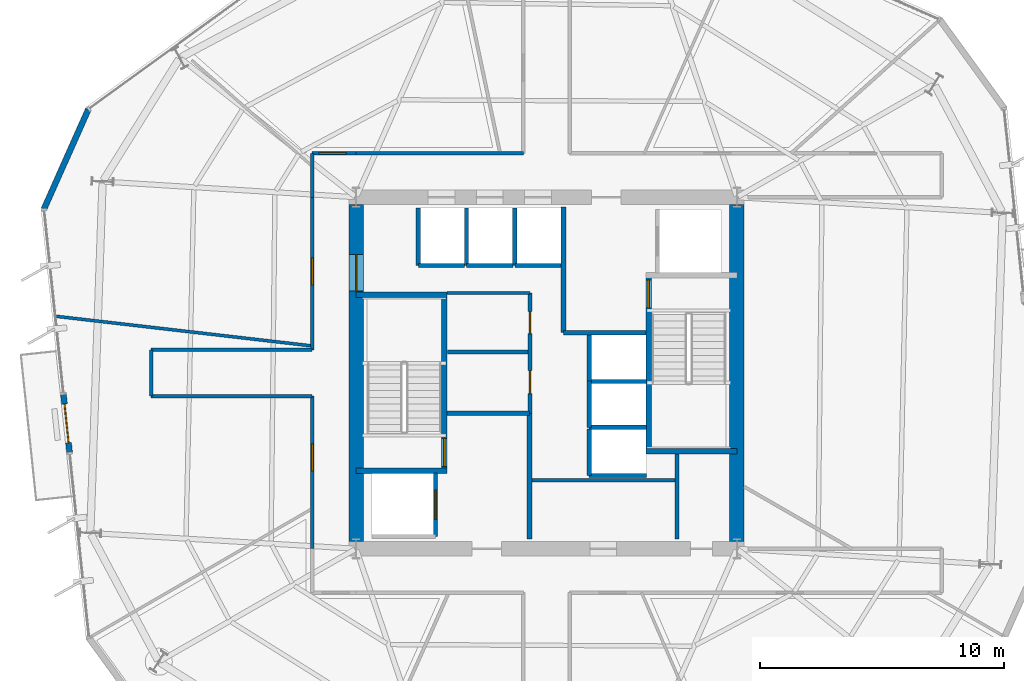
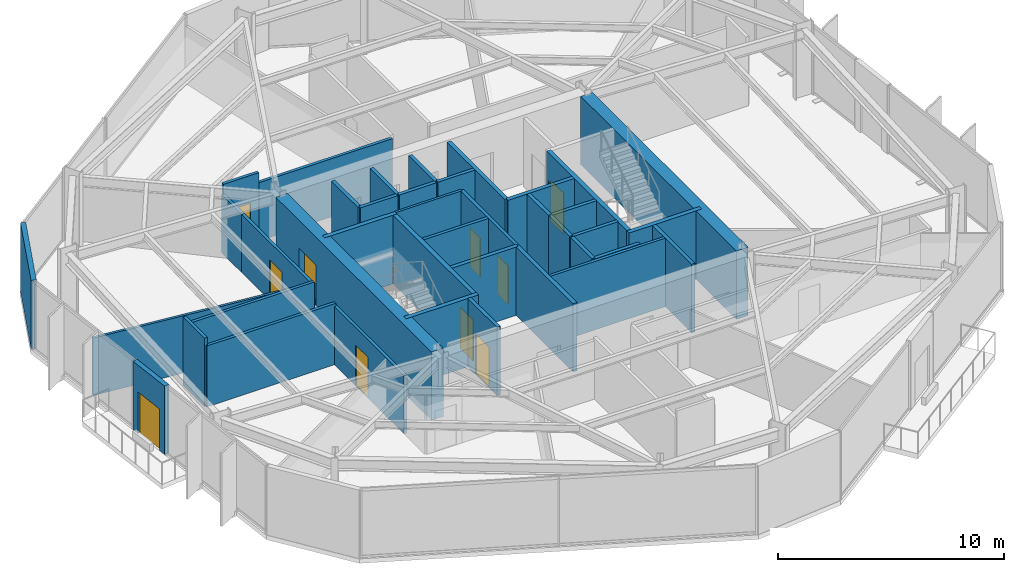
# One storey, part 7 of 12: 40 walls, 10 doors, 10 openings.
"""IFC4 building model written with IfcOpenShell, lengths in metres."""

from ifc_helpers import new_model, si_unit, direction, frame, frame_2d, origin, place, context, subcontext, project, spatial, rectangle, extrude, material, layer, layer_set, type_object, element, fill, save


model = new_model("IFC4")

# Units and contexts
model_context = context("Model", 3, precision=1e-05, world=origin(), true_north=direction((0.0, 1.0)))
body_context = subcontext(model_context, "Body", "Model", "MODEL_VIEW")
ifc_project = project(units=[si_unit("LENGTHUNIT", "METRE"), si_unit("AREAUNIT", "SQUARE_METRE"), si_unit("VOLUMEUNIT", "CUBIC_METRE"), si_unit("PLANEANGLEUNIT", "RADIAN"), si_unit("MASSUNIT", "GRAM", prefix="KILO")], contexts=[model_context])

# Site, building, storey
site_placement = place(None, origin())
site = spatial("IfcSite", under=ifc_project, at=site_placement, CompositionType="ELEMENT")
building_placement = place(site_placement, origin())
building = spatial("IfcBuilding", under=site, at=building_placement, Name="Kranzbogen Civic Tower", CompositionType="ELEMENT")
storey_placement = place(building_placement, frame((0.0, 0.0, 166.39990234375)))
storey = spatial("IfcBuildingStorey", under=building, at=storey_placement, Name="L40", CompositionType="ELEMENT", Elevation=166.39990234375)

# Wall
ifc_material_1 = material(Name="Double-Stud Acoustic Gypsum Partition")
ifc_layer_1 = layer(ifc_material_1, 0.14990234375, Name="Double-Stud Acoustic Gypsum Partition")
ifc_layer_set_1 = layer_set([ifc_layer_1], Name="Double-Stud Acoustic Gypsum Partition")
wall_type_1 = type_object("IfcWallType", Name="Acoustic Corridor and Clinical Partition 150 mm", PredefinedType="PARTITIONING", material=ifc_layer_set_1)
wall_1_placement = place(storey_placement, frame((24.39990234375, 20.610107421875, 0.0), z_axis=(0.0, 0.0, 1.0), x_axis=(1.0, 0.0, 0.0)))
element("IfcWall", 1, at=wall_1_placement, inside=storey, type_object=wall_type_1, Name="L40 records zone North wall", PredefinedType="PARTITIONING", context=body_context, shape_type="SweptSolid", body=[
    extrude(rectangle(XDim=5.900146484375, YDim=0.14990234375, at=frame_2d((2.9501953125, 0.0))), origin(), (0.0, 0.0, 1.0), 3.7001953125),
])

# Wall, opening, door
wall_2_placement = place(storey_placement, frame((15.39990234375, 17.800048828125, 0.0), z_axis=(0.0, 0.0, 1.0), x_axis=(0.0, 1.0, 0.0)))
wall_2 = element("IfcWall", 2, at=wall_2_placement, inside=storey, type_object=wall_type_1, Name="L40 corridor partition 03", PredefinedType="PARTITIONING", context=body_context, shape_type="SweptSolid", body=[
    extrude(rectangle(XDim=6.25, YDim=0.14990234375, at=frame_2d((3.125, 0.0))), origin(), (0.0, 0.0, 1.0), 3.150146484375),
])
opening_1_placement = place(wall_2_placement, frame((3.19091796875, 0.0, 0.0)))
opening_1 = element("IfcOpeningElement", 3, at=opening_1_placement, cuts=wall_2, Name="Opening D-COR60", PredefinedType="OPENING", context=body_context, shape_type="SweptSolid", body=[
    extrude(rectangle(XDim=1.10009765625, YDim=2.199951171875, at=frame_2d((0.550048828125, 1.10009765625))), frame((0.0, 0.0849609375, 0.0), z_axis=(0.0, -1.0, 0.0), x_axis=(1.0, 0.0, 0.0)), (0.0, 0.0, 1.0), 0.169921875),
])
ifc_material_2 = material(Name="Oak Timber and Fire Core", Category="wood")
door_type_1 = type_object("IfcDoorType", Name="Corridor Acoustic Fire Door 1100x2200", OperationType="NOTDEFINED", PredefinedType="DOOR", material=ifc_material_2)
door_1_placement = place(opening_1_placement, origin())
door_1 = element("IfcDoor", 4, at=door_1_placement, inside=storey, type_object=door_type_1, Name="L40 Civic Reference Library door", OperationType="SINGLE_SWING_RIGHT", OverallHeight=2.199951171875, OverallWidth=1.10009765625, PredefinedType="DOOR", context=body_context, shape_type="SweptSolid", body=[
    extrude(rectangle(XDim=1.10009765625, YDim=2.199951171875, at=frame_2d((0.550048828125, 1.10009765625))), frame((0.0, 0.02490234375, 0.0), z_axis=(0.0, -1.0, 0.0), x_axis=(1.0, 0.0, 0.0)), (0.0, 0.0, 1.0), 0.050048828125),
])
fill(opening_1, door_1)

# Walls
wall_3_placement = place(storey_placement, frame((15.39990234375, 24.050048828125, 0.0), z_axis=(0.0, 0.0, 1.0), x_axis=(-1.0, 0.0, 0.0)))
element("IfcWall", 5, at=wall_3_placement, inside=storey, type_object=wall_type_1, Name="L40 corridor partition 04", PredefinedType="PARTITIONING", context=body_context, shape_type="SweptSolid", body=[
    extrude(rectangle(XDim=6.599853515625, YDim=0.14990234375, at=frame_2d((3.2998046875, 0.0))), origin(), (0.0, 0.0, 1.0), 3.300048828125),
])
wall_4_placement = place(storey_placement, frame((8.800048828125, 24.050048828125, 0.0), z_axis=(0.0, 0.0, 1.0), x_axis=(0.0, 1.0, 0.0)))
element("IfcWall", 6, at=wall_4_placement, inside=storey, type_object=wall_type_1, Name="L40 corridor partition 05", PredefinedType="PARTITIONING", context=body_context, shape_type="SweptSolid", body=[
    extrude(rectangle(XDim=1.89990234375, YDim=0.14990234375, at=frame_2d((0.949951171875, 0.0))), origin(), (0.0, 0.0, 1.0), 3.7001953125),
])
wall_5_placement = place(storey_placement, frame((8.800048828125, 25.949951171875, 0.0), z_axis=(0.0, 0.0, 1.0), x_axis=(1.0, 0.0, 0.0)))
element("IfcWall", 7, at=wall_5_placement, inside=storey, type_object=wall_type_1, Name="L40 corridor partition 06", PredefinedType="PARTITIONING", context=body_context, shape_type="SweptSolid", body=[
    extrude(rectangle(XDim=6.599853515625, YDim=0.14990234375, at=frame_2d((3.2998046875, 0.0))), origin(), (0.0, 0.0, 1.0), 3.300048828125),
])

# Wall, opening, door
wall_6_placement = place(storey_placement, frame((15.39990234375, 25.949951171875, 0.0), z_axis=(0.0, 0.0, 1.0), x_axis=(0.0, 1.0, 0.0)))
wall_6 = element("IfcWall", 8, at=wall_6_placement, inside=storey, type_object=wall_type_1, Name="L40 corridor partition 07", PredefinedType="PARTITIONING", context=body_context, shape_type="SweptSolid", body=[
    extrude(rectangle(XDim=6.25, YDim=0.14990234375, at=frame_2d((3.125, 0.0))), origin(), (0.0, 0.0, 1.0), 3.150146484375),
])
opening_2_placement = place(wall_6_placement, frame((2.6640625, 0.0, 0.0)))
opening_2 = element("IfcOpeningElement", 9, at=opening_2_placement, cuts=wall_6, Name="Opening D-COR60", PredefinedType="OPENING", context=body_context, shape_type="SweptSolid", body=[
    extrude(rectangle(XDim=1.10009765625, YDim=2.199951171875, at=frame_2d((0.550048828125, 1.10009765625))), frame((0.0, 0.0849609375, 0.0), z_axis=(0.0, -1.0, 0.0), x_axis=(1.0, 0.0, 0.0)), (0.0, 0.0, 1.0), 0.169921875),
])
door_2_placement = place(opening_2_placement, origin())
door_2 = element("IfcDoor", 10, at=door_2_placement, inside=storey, type_object=door_type_1, Name="L40 Operations Security Control Room door", OperationType="SINGLE_SWING_RIGHT", OverallHeight=2.199951171875, OverallWidth=1.10009765625, PredefinedType="DOOR", context=body_context, shape_type="SweptSolid", body=[
    extrude(rectangle(XDim=1.10009765625, YDim=2.199951171875, at=frame_2d((0.550048828125, 1.10009765625))), frame((0.0, 0.02490234375, 0.0), z_axis=(0.0, -1.0, 0.0), x_axis=(1.0, 0.0, 0.0)), (0.0, 0.0, 1.0), 0.050048828125),
])
fill(opening_2, door_2)

# Wall
wall_7_placement = place(storey_placement, frame((15.39990234375, 32.199951171875, 0.0), z_axis=(0.0, 0.0, 1.0), x_axis=(0.0, 1.0, 0.0)))
element("IfcWall", 11, at=wall_7_placement, inside=storey, type_object=wall_type_1, Name="L40 corridor partition 08", PredefinedType="PARTITIONING", context=body_context, shape_type="SweptSolid", body=[
    extrude(rectangle(XDim=1.800048828125, YDim=0.14990234375, at=frame_2d((0.89990234375, 0.0))), origin(), (0.0, 0.0, 1.0), 3.150146484375),
])

# Wall, opening, door
wall_8_placement = place(storey_placement, frame((15.39990234375, 34.0, 0.0), z_axis=(0.0, 0.0, 1.0), x_axis=(1.0, 0.0, 0.0)))
wall_8 = element("IfcWall", 12, at=wall_8_placement, inside=storey, type_object=wall_type_1, Name="L40 corridor partition 09", PredefinedType="PARTITIONING", context=body_context, shape_type="SweptSolid", body=[
    extrude(rectangle(XDim=1.800048828125, YDim=0.14990234375, at=frame_2d((0.89990234375, 0.0))), origin(), (0.0, 0.0, 1.0), 3.7001953125),
])
opening_3_placement = place(wall_8_placement, frame((0.287109375, 0.0, 0.0)))
opening_3 = element("IfcOpeningElement", 13, at=opening_3_placement, cuts=wall_8, Name="Opening D-COR60", PredefinedType="OPENING", context=body_context, shape_type="SweptSolid", body=[
    extrude(rectangle(XDim=1.10009765625, YDim=2.199951171875, at=frame_2d((0.550048828125, 1.10009765625))), frame((0.0, 0.0849609375, 0.0), z_axis=(0.0, -1.0, 0.0), x_axis=(1.0, 0.0, 0.0)), (0.0, 0.0, 1.0), 0.169921875),
])
door_3_placement = place(opening_3_placement, origin())
door_3 = element("IfcDoor", 14, at=door_3_placement, inside=storey, type_object=door_type_1, Name="L40 Public Delegation Reception door", OperationType="SINGLE_SWING_LEFT", OverallHeight=2.199951171875, OverallWidth=1.10009765625, PredefinedType="DOOR", context=body_context, shape_type="SweptSolid", body=[
    extrude(rectangle(XDim=1.10009765625, YDim=2.199951171875, at=frame_2d((0.550048828125, 1.10009765625))), frame((0.0, 0.02490234375, 0.0), z_axis=(0.0, -1.0, 0.0), x_axis=(1.0, 0.0, 0.0)), (0.0, 0.0, 1.0), 0.050048828125),
])
fill(opening_3, door_3)

# Walls
wall_9_placement = place(storey_placement, frame((17.199951171875, 34.0, 0.0), z_axis=(0.0, 0.0, 1.0), x_axis=(1.0, 0.0, 0.0)))
element("IfcWall", 15, at=wall_9_placement, inside=storey, type_object=wall_type_1, Name="L40 corridor partition 10", PredefinedType="PARTITIONING", context=body_context, shape_type="SweptSolid", body=[
    extrude(rectangle(XDim=6.85009765625, YDim=0.14990234375, at=frame_2d((3.425048828125, 0.0))), origin(), (0.0, 0.0, 1.0), 3.150146484375),
])
ifc_material_3 = material(Name="Insulated Metal-Stud Gypsum Partition")
ifc_layer_2 = layer(ifc_material_3, 0.125, Name="Insulated Metal-Stud Gypsum Partition")
ifc_layer_set_2 = layer_set([ifc_layer_2], Name="Insulated Metal-Stud Gypsum Partition")
wall_type_2 = type_object("IfcWallType", Name="Acoustic Inter-Room Partition 125 mm", PredefinedType="PARTITIONING", material=ifc_layer_set_2)
wall_10_placement = place(storey_placement, frame((20.919921875, 28.280029296875, 0.0), z_axis=(0.0, 0.0, 1.0), x_axis=(1.0, 0.0, 0.0)))
element("IfcWall", 16, at=wall_10_placement, inside=storey, type_object=wall_type_2, Name="L40 core auxiliary North wall", PredefinedType="PARTITIONING", context=body_context, shape_type="SweptSolid", body=[
    extrude(rectangle(XDim=3.405029296875, YDim=0.125, at=frame_2d((1.70263671875, 0.0))), origin(), (0.0, 0.0, 1.0), 3.7001953125),
])
wall_11_placement = place(storey_placement, frame((15.39990234375, 26.10888671875, 0.0), z_axis=(0.0, 0.0, 1.0), x_axis=(-0.993380400017, 0.114871148952, 0.0)))
element("IfcWall", 17, at=wall_11_placement, inside=storey, type_object=wall_type_2, Name="L40 radial room partition 05", PredefinedType="PARTITIONING", context=body_context, shape_type="SweptSolid", body=[
    extrude(rectangle(XDim=10.577880859375, YDim=0.125, at=frame_2d((5.2890625, 0.0))), origin(), (0.0, 0.0, 1.0), 3.10009765625),
])

# Wall, opening, door
ifc_material_4 = material(Name="Concrete C55/67", Category="concrete")
ifc_layer_3 = layer(ifc_material_4, 0.60009765625, Name="Concrete C55/67")
ifc_layer_set_3 = layer_set([ifc_layer_3], Name="Concrete C55/67")
wall_type_3 = type_object("IfcWallType", Name="Central Core Shear Wall 600 mm", PredefinedType="SHEAR", material=ifc_layer_set_3)
wall_12_placement = place(storey_placement, frame((17.199951171875, 31.89990234375, 0.0), z_axis=(0.0, 0.0, 1.0), x_axis=(0.0, -1.0, 0.0)))
wall_12 = element("IfcWall", 18, at=wall_12_placement, inside=storey, type_object=wall_type_3, Name="L40 central core West shear wall", PredefinedType="SHEAR", context=body_context, shape_type="SweptSolid", body=[
    extrude(rectangle(XDim=13.7998046875, YDim=0.60009765625, at=frame_2d((6.89990234375, 0.0))), origin(), (0.0, 0.0, 1.0), 3.7001953125),
])
opening_4_placement = place(wall_12_placement, frame((2.050048828125, 0.0, 0.0)))
opening_4 = element("IfcOpeningElement", 19, at=opening_4_placement, cuts=wall_12, Name="Opening D-DBL15", PredefinedType="OPENING", context=body_context, shape_type="SweptSolid", body=[
    extrude(rectangle(XDim=1.5, YDim=2.199951171875, at=frame_2d((0.75, 1.10009765625))), frame((0.0, 0.31005859375, 0.0), z_axis=(0.0, -1.0, 0.0), x_axis=(1.0, 0.0, 0.0)), (0.0, 0.0, 1.0), 0.6201171875),
])
ifc_material_5 = material(Name="Anodised Bronze and Glass", Category="glass")
door_type_2 = type_object("IfcDoorType", Name="Civic Lobby Double Door 1500x2200", OperationType="DOUBLE_DOOR_SINGLE_SWING", PredefinedType="DOOR", material=ifc_material_5)
door_4_placement = place(opening_4_placement, origin())
door_4 = element("IfcDoor", 20, at=door_4_placement, inside=storey, type_object=door_type_2, Name="L40 Central Lift Lobby West concourse door", OperationType="DOUBLE_DOOR_SINGLE_SWING", OverallHeight=2.199951171875, OverallWidth=1.5, PredefinedType="DOOR", context=body_context, shape_type="SweptSolid", body=[
    extrude(rectangle(XDim=1.5, YDim=2.199951171875, at=frame_2d((0.75, 1.10009765625))), frame((0.0, 0.02490234375, 0.0), z_axis=(0.0, -1.0, 0.0), x_axis=(1.0, 0.0, 0.0)), (0.0, 0.0, 1.0), 0.050048828125),
])
fill(opening_4, door_4)

# Wall
wall_13_placement = place(storey_placement, frame((32.800048828125, 18.10009765625, 0.0), z_axis=(0.0, 0.0, 1.0), x_axis=(0.0, 1.0, 0.0)))
element("IfcWall", 21, at=wall_13_placement, inside=storey, type_object=wall_type_3, Name="L40 central core East shear wall", PredefinedType="SHEAR", context=body_context, shape_type="SweptSolid", body=[
    extrude(rectangle(XDim=13.7998046875, YDim=0.60009765625, at=frame_2d((6.89990234375, 0.0))), origin(), (0.0, 0.0, 1.0), 3.7001953125),
])

# Wall, opening, door
ifc_material_6 = material(Name="Concrete C45/55", Category="concrete")
ifc_layer_4 = layer(ifc_material_6, 0.219970703125, Name="Concrete C45/55")
ifc_layer_set_4 = layer_set([ifc_layer_4], Name="Concrete C45/55")
wall_type_4 = type_object("IfcWallType", Name="Core Internal Stair Structural Wall 220 mm", PredefinedType="SOLIDWALL", material=ifc_layer_set_4)
wall_14_placement = place(storey_placement, frame((20.81005859375, 20.989990234375, 0.0), z_axis=(0.0, 0.0, 1.0), x_axis=(0.0, 1.0, 0.0)))
wall_14 = element("IfcWall", 22, at=wall_14_placement, inside=storey, type_object=wall_type_4, Name="L40 ST-T1 East structural stair wall", PredefinedType="SOLIDWALL", context=body_context, shape_type="SweptSolid", body=[
    extrude(rectangle(XDim=7.219970703125, YDim=0.219970703125, at=frame_2d((3.60986328125, 0.0))), origin(), (0.0, 0.0, 1.0), 3.7001953125),
])
opening_5_placement = place(wall_14_placement, frame((0.179931640625, 0.0, 0.0)))
opening_5 = element("IfcOpeningElement", 23, at=opening_5_placement, cuts=wall_14, Name="Opening D-ST90", PredefinedType="OPENING", context=body_context, shape_type="SweptSolid", body=[
    extrude(rectangle(XDim=1.14990234375, YDim=2.199951171875, at=frame_2d((0.574951171875, 1.10009765625))), frame((0.0, 0.1201171875, 0.0), z_axis=(0.0, -1.0, 0.0), x_axis=(1.0, 0.0, 0.0)), (0.0, 0.0, 1.0), 0.239990234375),
])
ifc_material_7 = material(Name="Steel S355", Category="steel")
door_type_3 = type_object("IfcDoorType", Name="Pressurized Stair and Lobby Fire Door 1150x2200", OperationType="NOTDEFINED", PredefinedType="DOOR", material=ifc_material_7)
door_5_placement = place(opening_5_placement, origin())
door_5 = element("IfcDoor", 24, at=door_5_placement, inside=storey, type_object=door_type_3, Name="L40 Stair ST-T1 fire door", OperationType="SINGLE_SWING_RIGHT", OverallHeight=2.199951171875, OverallWidth=1.14990234375, PredefinedType="DOOR", context=body_context, shape_type="SweptSolid", body=[
    extrude(rectangle(XDim=1.14990234375, YDim=2.199951171875, at=frame_2d((0.574951171875, 1.10009765625))), frame((0.0, 0.02490234375, 0.0), z_axis=(0.0, -1.0, 0.0), x_axis=(1.0, 0.0, 0.0)), (0.0, 0.0, 1.0), 0.050048828125),
])
fill(opening_5, door_5)

# Walls
for number, where, z_axis, x_axis, name in (
    (25, (17.199951171875, 20.989990234375, 0.0), (0.0, 0.0, 1.0), (1.0, 0.0, 0.0), "L40 ST-T1 South structural stair wall"),
    (26, (17.199951171875, 28.2099609375, 0.0), (0.0, 0.0, 1.0), (1.0, 0.0, 0.0), "L40 ST-T1 North structural stair wall"),
):
    element("IfcWall", number, at=place(storey_placement, frame(where, z_axis=z_axis, x_axis=x_axis)), inside=storey, type_object=wall_type_4, Name=name, PredefinedType="SOLIDWALL", context=body_context, shape_type="SweptSolid", body=[
        extrude(rectangle(XDim=3.719970703125, YDim=0.219970703125, at=frame_2d((1.85986328125, 0.0))), origin(), (0.0, 0.0, 1.0), 3.7001953125),
    ])

# Wall, opening, door
wall_15_placement = place(storey_placement, frame((29.18994140625, 21.7900390625, 0.0), z_axis=(0.0, 0.0, 1.0), x_axis=(0.0, 1.0, 0.0)))
wall_15 = element("IfcWall", 27, at=wall_15_placement, inside=storey, type_object=wall_type_4, Name="L40 ST-T2 West structural stair wall", PredefinedType="SOLIDWALL", context=body_context, shape_type="SweptSolid", body=[
    extrude(rectangle(XDim=7.219970703125, YDim=0.219970703125, at=frame_2d((3.60986328125, 0.0))), origin(), (0.0, 0.0, 1.0), 3.7001953125),
])
opening_6_placement = place(wall_15_placement, frame((5.8798828125, 0.0, 0.0)))
opening_6 = element("IfcOpeningElement", 28, at=opening_6_placement, cuts=wall_15, Name="Opening D-ST90", PredefinedType="OPENING", context=body_context, shape_type="SweptSolid", body=[
    extrude(rectangle(XDim=1.14990234375, YDim=2.199951171875, at=frame_2d((0.574951171875, 1.10009765625))), frame((0.0, 0.1201171875, 0.0), z_axis=(0.0, -1.0, 0.0), x_axis=(1.0, 0.0, 0.0)), (0.0, 0.0, 1.0), 0.239990234375),
])
door_6_placement = place(opening_6_placement, origin())
door_6 = element("IfcDoor", 29, at=door_6_placement, inside=storey, type_object=door_type_3, Name="L40 Stair ST-T2 fire door", OperationType="SINGLE_SWING_LEFT", OverallHeight=2.199951171875, OverallWidth=1.14990234375, PredefinedType="DOOR", context=body_context, shape_type="SweptSolid", body=[
    extrude(rectangle(XDim=1.14990234375, YDim=2.199951171875, at=frame_2d((0.574951171875, 1.10009765625))), frame((0.0, 0.02490234375, 0.0), z_axis=(0.0, -1.0, 0.0), x_axis=(1.0, 0.0, 0.0)), (0.0, 0.0, 1.0), 0.050048828125),
])
fill(opening_6, door_6)

# Walls
wall_16_placement = place(storey_placement, frame((29.080078125, 21.7900390625, 0.0), z_axis=(0.0, 0.0, 1.0), x_axis=(1.0, 0.0, 0.0)))
element("IfcWall", 30, at=wall_16_placement, inside=storey, type_object=wall_type_4, Name="L40 ST-T2 South structural stair wall", PredefinedType="SOLIDWALL", context=body_context, shape_type="SweptSolid", body=[
    extrude(rectangle(XDim=3.719970703125, YDim=0.219970703125, at=frame_2d((1.85986328125, 0.0))), origin(), (0.0, 0.0, 1.0), 3.7001953125),
])
ifc_material_8 = material(Name="Gypsum Fireboard and Concrete Block", Category="concrete")
ifc_layer_5 = layer(ifc_material_8, 0.199951171875, Name="Gypsum Fireboard and Concrete Block")
ifc_layer_set_5 = layer_set([ifc_layer_5], Name="Gypsum Fireboard and Concrete Block")
wall_type_5 = type_object("IfcWallType", Name="Fire-Rated Exit Passageway and Stair Wall 200 mm", PredefinedType="PARTITIONING", material=ifc_layer_set_5)
wall_17_placement = place(storey_placement, frame((24.300048828125, 18.199951171875, 0.0), z_axis=(0.0, 0.0, 1.0), x_axis=(0.0, 1.0, 0.0)))
element("IfcWall", 31, at=wall_17_placement, inside=storey, type_object=wall_type_5, Name="L40 West firefighting lobby East wall", PredefinedType="PARTITIONING", context=body_context, shape_type="SweptSolid", body=[
    extrude(rectangle(XDim=5.150146484375, YDim=0.199951171875, at=frame_2d((2.5751953125, 0.0))), origin(), (0.0, 0.0, 1.0), 3.7001953125),
])
wall_18_placement = place(storey_placement, frame((20.919921875, 23.35009765625, 0.0), z_axis=(0.0, 0.0, 1.0), x_axis=(1.0, 0.0, 0.0)))
element("IfcWall", 32, at=wall_18_placement, inside=storey, type_object=wall_type_5, Name="L40 West firefighting lobby North wall", PredefinedType="PARTITIONING", context=body_context, shape_type="SweptSolid", body=[
    extrude(rectangle(XDim=3.380126953125, YDim=0.199951171875, at=frame_2d((1.68994140625, 0.0))), origin(), (0.0, 0.0, 1.0), 3.7001953125),
])
wall_19_placement = place(storey_placement, frame((25.699951171875, 26.64990234375, 0.0), z_axis=(0.0, 0.0, 1.0), x_axis=(0.0, 1.0, 0.0)))
element("IfcWall", 33, at=wall_19_placement, inside=storey, type_object=wall_type_5, Name="L40 East firefighting lobby West wall", PredefinedType="PARTITIONING", context=body_context, shape_type="SweptSolid", body=[
    extrude(rectangle(XDim=5.150146484375, YDim=0.199951171875, at=frame_2d((2.5751953125, 0.0))), origin(), (0.0, 0.0, 1.0), 3.7001953125),
])
wall_20_placement = place(storey_placement, frame((25.699951171875, 26.64990234375, 0.0), z_axis=(0.0, 0.0, 1.0), x_axis=(1.0, 0.0, 0.0)))
element("IfcWall", 34, at=wall_20_placement, inside=storey, type_object=wall_type_5, Name="L40 East firefighting lobby South wall", PredefinedType="PARTITIONING", context=body_context, shape_type="SweptSolid", body=[
    extrude(rectangle(XDim=3.380126953125, YDim=0.199951171875, at=frame_2d((1.68994140625, 0.0))), origin(), (0.0, 0.0, 1.0), 3.7001953125),
])
ifc_material_9 = material(Name="Gypsum Fireboard Shaftliner")
ifc_layer_6 = layer(ifc_material_9, 0.175048828125, Name="Gypsum Fireboard Shaftliner")
ifc_layer_set_6 = layer_set([ifc_layer_6], Name="Gypsum Fireboard Shaftliner")
wall_type_6 = type_object("IfcWallType", Name="Fire-Rated Lift and Service Shaft Wall 175 mm", PredefinedType="PARTITIONING", material=ifc_layer_set_6)
wall_21_placement = place(storey_placement, frame((30.35009765625, 18.199951171875, 0.0), z_axis=(0.0, 0.0, 1.0), x_axis=(0.0, 1.0, 0.0)))
element("IfcWall", 35, at=wall_21_placement, inside=storey, type_object=wall_type_6, Name="L40 East core riser West wall", PredefinedType="PARTITIONING", context=body_context, shape_type="SweptSolid", body=[
    extrude(rectangle(XDim=3.47998046875, YDim=0.175048828125, at=frame_2d((1.739990234375, 0.0))), origin(), (0.0, 0.0, 1.0), 3.7001953125),
])
wall_22_placement = place(storey_placement, frame((19.75, 29.39990234375, 0.0), z_axis=(0.0, 0.0, 1.0), x_axis=(1.0, 0.0, 0.0)))
element("IfcWall", 36, at=wall_22_placement, inside=storey, type_object=wall_type_6, Name="L40 lift MP-01 rear wall", PredefinedType="PARTITIONING", context=body_context, shape_type="SweptSolid", body=[
    extrude(rectangle(XDim=1.89990234375, YDim=0.175048828125, at=frame_2d((0.949951171875, 0.0))), origin(), (0.0, 0.0, 1.0), 3.7001953125),
])
wall_23_placement = place(storey_placement, frame((19.75, 29.39990234375, 0.0), z_axis=(0.0, 0.0, 1.0), x_axis=(0.0, 1.0, 0.0)))
element("IfcWall", 37, at=wall_23_placement, inside=storey, type_object=wall_type_6, Name="L40 lift MP-01 side wall", PredefinedType="PARTITIONING", context=body_context, shape_type="SweptSolid", body=[
    extrude(rectangle(XDim=2.35009765625, YDim=0.175048828125, at=frame_2d((1.175048828125, 0.0))), origin(), (0.0, 0.0, 1.0), 3.7001953125),
])
wall_24_placement = place(storey_placement, frame((21.72509765625, 29.39990234375, 0.0), z_axis=(0.0, 0.0, 1.0), x_axis=(1.0, 0.0, 0.0)))
element("IfcWall", 38, at=wall_24_placement, inside=storey, type_object=wall_type_6, Name="L40 lift MP-02 rear wall", PredefinedType="PARTITIONING", context=body_context, shape_type="SweptSolid", body=[
    extrude(rectangle(XDim=1.89990234375, YDim=0.175048828125, at=frame_2d((0.949951171875, 0.0))), origin(), (0.0, 0.0, 1.0), 3.7001953125),
])
wall_25_placement = place(storey_placement, frame((21.72509765625, 29.39990234375, 0.0), z_axis=(0.0, 0.0, 1.0), x_axis=(0.0, 1.0, 0.0)))
element("IfcWall", 39, at=wall_25_placement, inside=storey, type_object=wall_type_6, Name="L40 lift MP-02 side wall", PredefinedType="PARTITIONING", context=body_context, shape_type="SweptSolid", body=[
    extrude(rectangle(XDim=2.35009765625, YDim=0.175048828125, at=frame_2d((1.175048828125, 0.0))), origin(), (0.0, 0.0, 1.0), 3.7001953125),
])
wall_26_placement = place(storey_placement, frame((23.699951171875, 29.39990234375, 0.0), z_axis=(0.0, 0.0, 1.0), x_axis=(1.0, 0.0, 0.0)))
element("IfcWall", 40, at=wall_26_placement, inside=storey, type_object=wall_type_6, Name="L40 lift MP-03 rear wall", PredefinedType="PARTITIONING", context=body_context, shape_type="SweptSolid", body=[
    extrude(rectangle(XDim=1.900146484375, YDim=0.175048828125, at=frame_2d((0.9501953125, 0.0))), origin(), (0.0, 0.0, 1.0), 3.7001953125),
])
wall_27_placement = place(storey_placement, frame((23.699951171875, 29.39990234375, 0.0), z_axis=(0.0, 0.0, 1.0), x_axis=(0.0, 1.0, 0.0)))
element("IfcWall", 41, at=wall_27_placement, inside=storey, type_object=wall_type_6, Name="L40 lift MP-03 side wall", PredefinedType="PARTITIONING", context=body_context, shape_type="SweptSolid", body=[
    extrude(rectangle(XDim=2.35009765625, YDim=0.175048828125, at=frame_2d((1.175048828125, 0.0))), origin(), (0.0, 0.0, 1.0), 3.7001953125),
])
wall_28_placement = place(storey_placement, frame((26.75, 20.800048828125, 0.0), z_axis=(0.0, 0.0, 1.0), x_axis=(0.0, 1.0, 0.0)))
element("IfcWall", 42, at=wall_28_placement, inside=storey, type_object=wall_type_6, Name="L40 lift HP-01 landing wall", PredefinedType="PARTITIONING", context=body_context, shape_type="SweptSolid", body=[
    extrude(rectangle(XDim=1.89990234375, YDim=0.175048828125, at=frame_2d((0.949951171875, 0.0))), origin(), (0.0, 0.0, 1.0), 3.7001953125),
])
wall_29_placement = place(storey_placement, frame((26.75, 20.800048828125, 0.0), z_axis=(0.0, 0.0, 1.0), x_axis=(1.0, 0.0, 0.0)))
element("IfcWall", 43, at=wall_29_placement, inside=storey, type_object=wall_type_6, Name="L40 lift HP-01 side wall", PredefinedType="PARTITIONING", context=body_context, shape_type="SweptSolid", body=[
    extrude(rectangle(XDim=2.35009765625, YDim=0.175048828125, at=frame_2d((1.175048828125, 0.0))), origin(), (0.0, 0.0, 1.0), 3.7001953125),
])
wall_30_placement = place(storey_placement, frame((26.75, 22.77490234375, 0.0), z_axis=(0.0, 0.0, 1.0), x_axis=(0.0, 1.0, 0.0)))
element("IfcWall", 44, at=wall_30_placement, inside=storey, type_object=wall_type_6, Name="L40 lift HP-02 landing wall", PredefinedType="PARTITIONING", context=body_context, shape_type="SweptSolid", body=[
    extrude(rectangle(XDim=1.900146484375, YDim=0.175048828125, at=frame_2d((0.9501953125, 0.0))), origin(), (0.0, 0.0, 1.0), 3.7001953125),
])
wall_31_placement = place(storey_placement, frame((26.75, 22.77490234375, 0.0), z_axis=(0.0, 0.0, 1.0), x_axis=(1.0, 0.0, 0.0)))
element("IfcWall", 45, at=wall_31_placement, inside=storey, type_object=wall_type_6, Name="L40 lift HP-02 side wall", PredefinedType="PARTITIONING", context=body_context, shape_type="SweptSolid", body=[
    extrude(rectangle(XDim=2.35009765625, YDim=0.175048828125, at=frame_2d((1.175048828125, 0.0))), origin(), (0.0, 0.0, 1.0), 3.7001953125),
])
wall_32_placement = place(storey_placement, frame((26.75, 24.64990234375, 0.0), z_axis=(0.0, 0.0, 1.0), x_axis=(0.0, 1.0, 0.0)))
element("IfcWall", 46, at=wall_32_placement, inside=storey, type_object=wall_type_6, Name="L40 lift HP-03 landing wall", PredefinedType="PARTITIONING", context=body_context, shape_type="SweptSolid", body=[
    extrude(rectangle(XDim=1.900146484375, YDim=0.175048828125, at=frame_2d((0.9501953125, 0.0))), origin(), (0.0, 0.0, 1.0), 3.7001953125),
])
wall_33_placement = place(storey_placement, frame((26.75, 24.64990234375, 0.0), z_axis=(0.0, 0.0, 1.0), x_axis=(1.0, 0.0, 0.0)))
element("IfcWall", 47, at=wall_33_placement, inside=storey, type_object=wall_type_6, Name="L40 lift HP-03 side wall", PredefinedType="PARTITIONING", context=body_context, shape_type="SweptSolid", body=[
    extrude(rectangle(XDim=2.35009765625, YDim=0.175048828125, at=frame_2d((1.175048828125, 0.0))), origin(), (0.0, 0.0, 1.0), 3.7001953125),
])

# Wall, opening, door
wall_34_placement = place(storey_placement, frame((20.449951171875, 18.300048828125, 0.0), z_axis=(0.0, 0.0, 1.0), x_axis=(0.0, 1.0, 0.0)))
wall_34 = element("IfcWall", 48, at=wall_34_placement, inside=storey, type_object=wall_type_6, Name="L40 lift FF-01 landing wall", PredefinedType="PARTITIONING", context=body_context, shape_type="SweptSolid", body=[
    extrude(rectangle(XDim=2.599853515625, YDim=0.175048828125, at=frame_2d((1.2998046875, 0.0))), origin(), (0.0, 0.0, 1.0), 3.7001953125),
])
opening_7_placement = place(wall_34_placement, frame((0.699951171875, 0.0, 0.0)))
opening_7 = element("IfcOpeningElement", 49, at=opening_7_placement, cuts=wall_34, Name="Opening LD-FF-01", PredefinedType="OPENING", context=body_context, shape_type="SweptSolid", body=[
    extrude(rectangle(XDim=1.199951171875, YDim=2.199951171875, at=frame_2d((0.60009765625, 1.10009765625))), frame((0.0, 0.09765625, 0.0), z_axis=(0.0, -1.0, 0.0), x_axis=(1.0, 0.0, 0.0)), (0.0, 0.0, 1.0), 0.195068359375),
])
ifc_material_10 = material(Name="Pale Anodised Aluminium", Category="aluminium")
door_type_4 = type_object("IfcDoorType", Name="Firefighting and Stretcher Lift Sliding Landing Door 1200x2200", OperationType="DOUBLE_DOOR_SLIDING", PredefinedType="DOOR", material=ifc_material_10)
door_7_placement = place(opening_7_placement, origin())
door_7 = element("IfcDoor", 50, at=door_7_placement, inside=storey, type_object=door_type_4, Name="L40 lift FF-01 sliding landing door", OperationType="DOUBLE_DOOR_SLIDING", OverallHeight=2.199951171875, OverallWidth=1.199951171875, PredefinedType="DOOR", context=body_context, shape_type="SweptSolid", body=[
    extrude(rectangle(XDim=1.199951171875, YDim=2.199951171875, at=frame_2d((0.60009765625, 1.10009765625))), frame((0.0, 0.02490234375, 0.0), z_axis=(0.0, -1.0, 0.0), x_axis=(1.0, 0.0, 0.0)), (0.0, 0.0, 1.0), 0.050048828125),
])
fill(opening_7, door_7)

# Wall
ifc_layer_7 = layer(ifc_material_10, 0.239990234375, Name="Pale Anodised Aluminium")
ifc_layer_set_7 = layer_set([ifc_layer_7], Name="Pale Anodised Aluminium")
wall_type_7 = type_object("IfcWallType", Name="Insulated Aluminium Facade Portal Wall 240 mm", PredefinedType="STANDARD", material=ifc_layer_set_7)
wall_35_placement = place(storey_placement, frame((6.23095703125, 35.802978515625, 0.0), z_axis=(0.0, 0.0, 1.0), x_axis=(-0.406655262741, -0.913581686159, 0.0)))
element("IfcWall", 51, at=wall_35_placement, inside=storey, type_object=wall_type_7, Name="L40 chamfered corner facade spandrel 2", PredefinedType="STANDARD", context=body_context, shape_type="SweptSolid", body=[
    extrude(rectangle(XDim=4.47021484375, YDim=0.239990234375, at=frame_2d((2.235107421875, 0.0))), origin(), (0.0, 0.0, 1.0), 3.7001953125),
])

# Wall, opening, door
wall_36_placement = place(storey_placement, frame((5.2109375, 24.1259765625, 0.0), z_axis=(0.0, 0.0, 1.0), x_axis=(0.104165836226, -0.994559942167, 0.0)))
wall_36 = element("IfcWall", 52, at=wall_36_placement, inside=storey, type_object=wall_type_7, Name="L40 exterior entrance portal wall 1", PredefinedType="STANDARD", context=body_context, shape_type="SweptSolid", body=[
    extrude(rectangle(XDim=2.39990234375, YDim=0.239990234375, at=frame_2d((1.199951171875, 0.0))), origin(), (0.0, 0.0, 1.0), 3.7001953125),
])
opening_8_placement = place(wall_36_placement, frame((0.39990234375, 0.0, 0.0)))
opening_8 = element("IfcOpeningElement", 53, at=opening_8_placement, cuts=wall_36, Name="Opening D-TER", PredefinedType="OPENING", context=body_context, shape_type="SweptSolid", body=[
    extrude(rectangle(XDim=1.60009765625, YDim=2.25, at=frame_2d((0.800048828125, 1.125))), frame((0.0, 0.1298828125, 0.0), z_axis=(0.0, -1.0, 0.0), x_axis=(1.0, 0.0, 0.0)), (0.0, 0.0, 1.0), 0.260009765625),
])
ifc_material_11 = material(Name="Anodised Bronze and Triple Glass", Category="glass")
door_type_5 = type_object("IfcDoorType", Name="Glazed Terrace and Balcony Double Door 1600x2250", OperationType="DOUBLE_DOOR_SINGLE_SWING", PredefinedType="DOOR", material=ifc_material_11)
door_8_placement = place(opening_8_placement, frame((1.60009765625, 0.0, 0.0), z_axis=(0.0, 0.0, 1.0), x_axis=(-1.0, 0.0, 0.0)))
door_8 = element("IfcDoor", 54, at=door_8_placement, inside=storey, type_object=door_type_5, Name="L40 tree balcony access door L40-TB1", OperationType="DOUBLE_DOOR_SINGLE_SWING", OverallHeight=2.25, OverallWidth=1.60009765625, PredefinedType="DOOR", context=body_context, shape_type="SweptSolid", body=[
    extrude(rectangle(XDim=1.60009765625, YDim=2.25, at=frame_2d((0.800048828125, 1.125))), frame((0.0, 0.02490234375, 0.0), z_axis=(0.0, -1.0, 0.0), x_axis=(1.0, 0.0, 0.0)), (0.0, 0.0, 1.0), 0.050048828125),
])
fill(opening_8, door_8)

# Wall, openings, doors
ifc_material_12 = material(Name="Moisture-Resistant Gypsum Assembly")
ifc_layer_8 = layer(ifc_material_12, 0.159912109375, Name="Moisture-Resistant Gypsum Assembly")
ifc_layer_set_8 = layer_set([ifc_layer_8], Name="Moisture-Resistant Gypsum Assembly")
wall_type_8 = type_object("IfcWallType", Name="Sanitary and Plumbing Wet Wall 160 mm", PredefinedType="PLUMBINGWALL", material=ifc_layer_set_8)
wall_37_placement = place(storey_placement, frame((24.324951171875, 23.35009765625, 0.0), z_axis=(0.0, 0.0, 1.0), x_axis=(0.0, 1.0, 0.0)))
wall_37 = element("IfcWall", 55, at=wall_37_placement, inside=storey, type_object=wall_type_8, Name="L40 core auxiliary East wall", PredefinedType="PLUMBINGWALL", context=body_context, shape_type="SweptSolid", body=[
    extrude(rectangle(XDim=4.929931640625, YDim=0.159912109375, at=frame_2d((2.46484375, 0.0))), origin(), (0.0, 0.0, 1.0), 3.7001953125),
])
opening_9_placement = place(wall_37_placement, frame((0.800048828125, 0.0, 0.0)))
opening_9 = element("IfcOpeningElement", 56, at=opening_9_placement, cuts=wall_37, Name="Opening D-AWC95", PredefinedType="OPENING", context=body_context, shape_type="SweptSolid", body=[
    extrude(rectangle(XDim=0.949951171875, YDim=2.10009765625, at=frame_2d((0.47509765625, 1.050048828125))), frame((0.0, 0.08984375, 0.0), z_axis=(0.0, -1.0, 0.0), x_axis=(1.0, 0.0, 0.0)), (0.0, 0.0, 1.0), 0.179931640625),
])
opening_10_placement = place(wall_37_placement, frame((3.260009765625, 0.0, 0.0)))
opening_10 = element("IfcOpeningElement", 57, at=opening_10_placement, cuts=wall_37, Name="Opening D-WC90", PredefinedType="OPENING", context=body_context, shape_type="SweptSolid", body=[
    extrude(rectangle(XDim=0.89990234375, YDim=2.10009765625, at=frame_2d((0.449951171875, 1.050048828125))), frame((0.0, 0.08984375, 0.0), z_axis=(0.0, -1.0, 0.0), x_axis=(1.0, 0.0, 0.0)), (0.0, 0.0, 1.0), 0.179931640625),
])
ifc_material_13 = material(Name="Moisture-Resistant Laminate")
door_type_6 = type_object("IfcDoorType", Name="Accessible Restroom Door 950x2100", OperationType="NOTDEFINED", PredefinedType="DOOR", material=ifc_material_13)
door_9_placement = place(opening_9_placement, origin())
door_9 = element("IfcDoor", 58, at=door_9_placement, inside=storey, type_object=door_type_6, Name="L40 Accessible Restroom door", OperationType="SINGLE_SWING_RIGHT", OverallHeight=2.10009765625, OverallWidth=0.949951171875, PredefinedType="DOOR", context=body_context, shape_type="SweptSolid", body=[
    extrude(rectangle(XDim=0.949951171875, YDim=2.10009765625, at=frame_2d((0.47509765625, 1.050048828125))), frame((0.0, 0.02490234375, 0.0), z_axis=(0.0, -1.0, 0.0), x_axis=(1.0, 0.0, 0.0)), (0.0, 0.0, 1.0), 0.050048828125),
])
fill(opening_9, door_9)
door_type_7 = type_object("IfcDoorType", Name="Standard Restroom and Store Door 900x2100", OperationType="NOTDEFINED", PredefinedType="DOOR", material=ifc_material_13)
door_10_placement = place(opening_10_placement, origin())
door_10 = element("IfcDoor", 59, at=door_10_placement, inside=storey, type_object=door_type_7, Name="L40 Staff Restroom door", OperationType="SINGLE_SWING_LEFT", OverallHeight=2.10009765625, OverallWidth=0.89990234375, PredefinedType="DOOR", context=body_context, shape_type="SweptSolid", body=[
    extrude(rectangle(XDim=0.89990234375, YDim=2.10009765625, at=frame_2d((0.449951171875, 1.050048828125))), frame((0.0, 0.02490234375, 0.0), z_axis=(0.0, -1.0, 0.0), x_axis=(1.0, 0.0, 0.0)), (0.0, 0.0, 1.0), 0.050048828125),
])
fill(opening_10, door_10)

# Wall
wall_38_placement = place(storey_placement, frame((20.949951171875, 25.860107421875, 0.0), z_axis=(0.0, 0.0, 1.0), x_axis=(1.0, 0.0, 0.0)))
element("IfcWall", 60, at=wall_38_placement, inside=storey, type_object=wall_type_8, Name="L40 core auxiliary partition 1", PredefinedType="PLUMBINGWALL", context=body_context, shape_type="SweptSolid", body=[
    extrude(rectangle(XDim=3.300048828125, YDim=0.159912109375, at=frame_2d((1.64990234375, 0.0))), origin(), (0.0, 0.0, 1.0), 3.7001953125),
])

save(model, "model.ifc")
